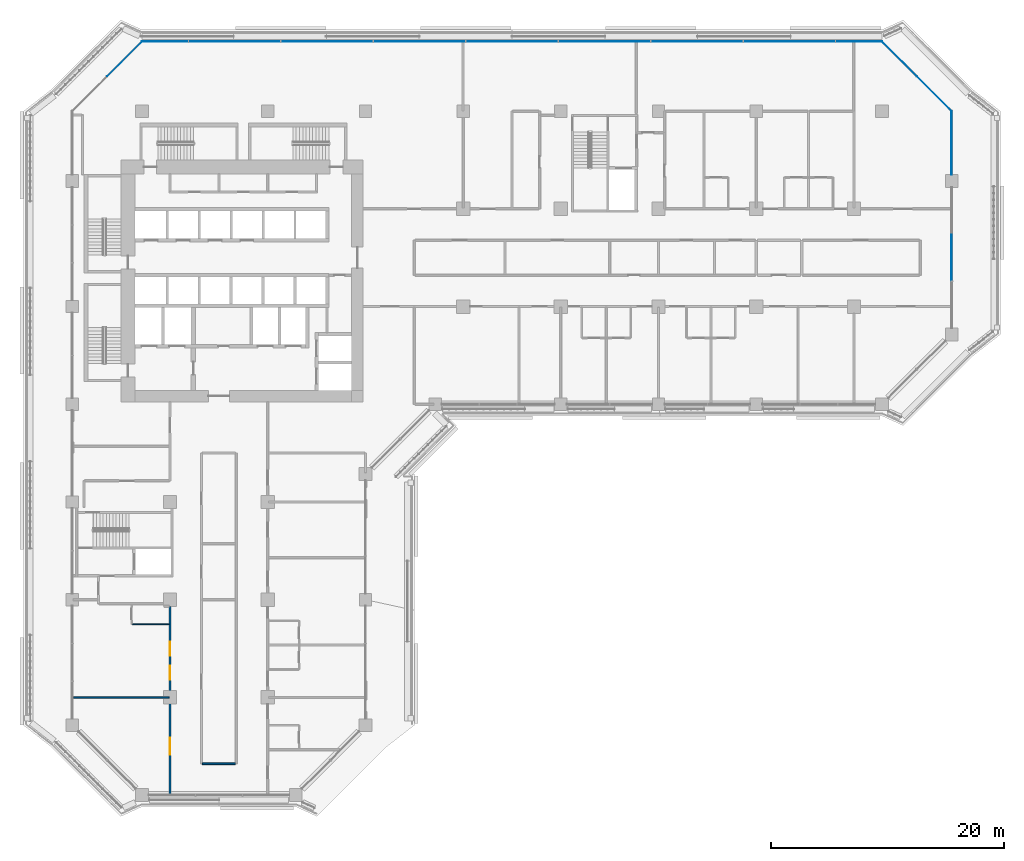
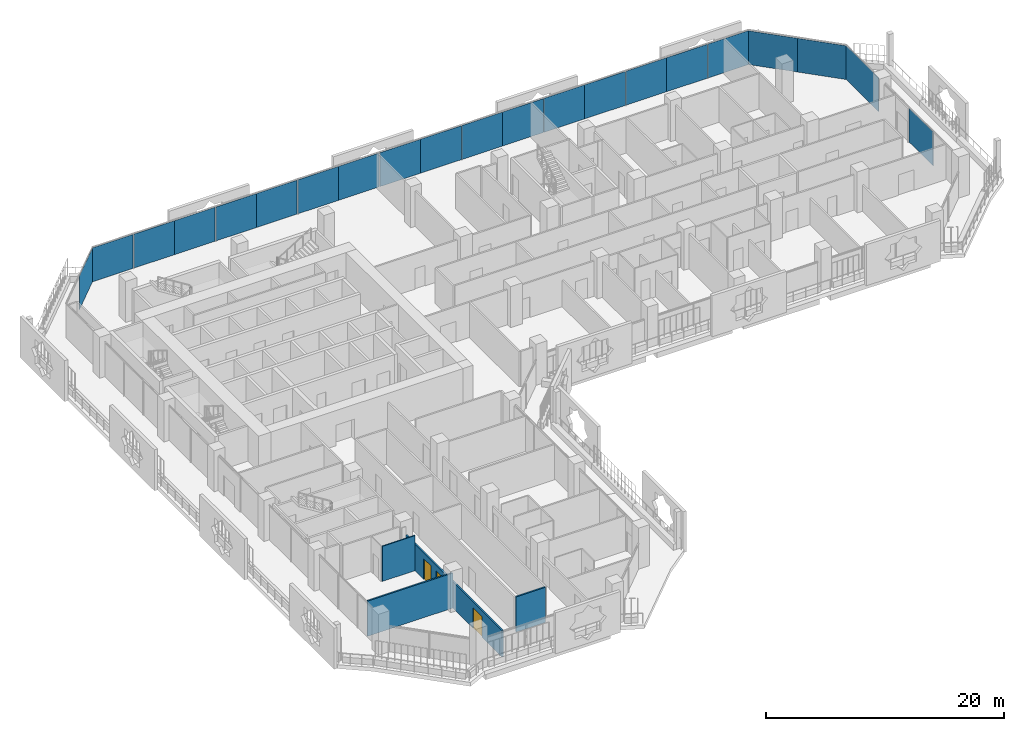
# One storey, part 11 of 25: 21 plates, 4 walls, 3 doors, 3 openings, 4 elements without a shape of their own.
"""IFC4 building model written with IfcOpenShell, lengths in metres."""

from ifc_helpers import new_model, si_unit, direction, frame, frame_2d, origin, origin_2d, place, context, subcontext, project, spatial, rectangle, extrude, material, layer, layer_set, type_object, element, fill, aggregate, save


model = new_model("IFC4")

# Units and contexts
model_context = context("Model", 3, precision=1e-05, world=origin(), true_north=direction((0.0, 1.0)))
body_context = subcontext(model_context, "Body", "Model", "MODEL_VIEW")
ifc_project = project(units=[si_unit("LENGTHUNIT", "METRE"), si_unit("AREAUNIT", "SQUARE_METRE"), si_unit("VOLUMEUNIT", "CUBIC_METRE"), si_unit("PLANEANGLEUNIT", "RADIAN"), si_unit("MASSUNIT", "GRAM", prefix="KILO")], contexts=[model_context])

# Site, building, storey
site_placement = place(None, origin())
site = spatial("IfcSite", under=ifc_project, at=site_placement, CompositionType="ELEMENT")
building_placement = place(site_placement, origin())
building = spatial("IfcBuilding", under=site, at=building_placement, Name="Kawkab Arch Medical Tower", CompositionType="ELEMENT")
storey_placement = place(building_placement, frame((0.0, 0.0, 124.0)))
storey = spatial("IfcBuildingStorey", under=building, at=storey_placement, Name="L28", CompositionType="ELEMENT", Elevation=124.0)

# Curtain wall, plates
ifc_material_1 = material(Name="Bronze anodised aluminium curtain wall frame", Category="aluminium")
ifc_layer_1 = layer(ifc_material_1, 0.159912109375)
ifc_layer_set_1 = layer_set([ifc_layer_1], Name="Bronze anodised aluminium curtain wall frame")
curtain_wall_type_1 = type_object("IfcCurtainWallType", Name="CW1 ward curtain wall", PredefinedType="NOTDEFINED", material=ifc_layer_set_1)
placement = place(storey_placement, origin())
curtain_wall_1 = element("IfcCurtainWall", 1, at=placement, inside=storey, type_object=curtain_wall_type_1, Name="CW1 Ward curtain wall R09", PredefinedType="NOTDEFINED")
ifc_material_2 = material(Name="Tinted insulating glass, bronze low-e coating", Category="glass")
ifc_layer_2 = layer(ifc_material_2, 0.031982421875)
ifc_layer_set_2 = layer_set([ifc_layer_2], Name="Tinted insulating glass, bronze low-e coating")
plate_type_1 = type_object("IfcPlateType", Name="CW1 glazing unit 32", PredefinedType="CURTAIN_PANEL", material=ifc_layer_set_2)
plate_1_placement = place(storey_placement, frame((75.60009765625, -12.5849609375, 0.0), z_axis=(0.0, 0.0, 1.0), x_axis=(0.0, 1.0, 0.0)))
plate_1 = element("IfcPlate", 2, at=plate_1_placement, type_object=plate_type_1, Name="CW1 glazing unit 1.2", PredefinedType="CURTAIN_PANEL", context=body_context, shape_type="SweptSolid", body=[
    extrude(rectangle(XDim=4.00341796875, YDim=0.031982421875, at=origin_2d()), origin(), (0.0, 0.0, 1.0), 3.47998046875),
])
plate_2_placement = place(storey_placement, frame((75.60009765625, -2.72509765625, 0.0), z_axis=(0.0, 0.0, 1.0), x_axis=(0.0, 1.0, 0.0)))
plate_2 = element("IfcPlate", 3, at=plate_2_placement, type_object=plate_type_1, Name="CW1 glazing unit 2.1", PredefinedType="CURTAIN_PANEL", context=body_context, shape_type="SweptSolid", body=[
    extrude(rectangle(XDim=5.449951171875, YDim=0.031982421875, at=origin_2d()), origin(), (0.0, 0.0, 1.0), 3.47998046875),
])
aggregate(curtain_wall_1, [plate_1, plate_2])

curtain_wall_2 = element("IfcCurtainWall", 4, at=placement, inside=storey, type_object=curtain_wall_type_1, Name="CW1 Ward curtain wall R11", PredefinedType="NOTDEFINED")
plate_3_placement = place(storey_placement, frame((67.62744140625, 6.0, 0.0), z_axis=(0.0, 0.0, 1.0), x_axis=(-1.0, 0.0, 0.0)))
plate_3 = element("IfcPlate", 5, at=plate_3_placement, type_object=plate_type_1, Name="CW1 glazing unit 1.1", PredefinedType="CURTAIN_PANEL", context=body_context, shape_type="SweptSolid", body=[
    extrude(rectangle(XDim=3.945068359375, YDim=0.031982421875, at=origin_2d()), origin(), (0.0, 0.0, 1.0), 3.47998046875),
])
plate_4_placement = place(storey_placement, frame((63.62255859375, 6.0, 0.0), z_axis=(0.0, 0.0, 1.0), x_axis=(-1.0, 0.0, 0.0)))
plate_4 = element("IfcPlate", 6, at=plate_4_placement, type_object=plate_type_1, Name="CW1 glazing unit 1.2", PredefinedType="CURTAIN_PANEL", context=body_context, shape_type="SweptSolid", body=[
    extrude(rectangle(XDim=3.945068359375, YDim=0.031982421875, at=origin_2d()), origin(), (0.0, 0.0, 1.0), 3.47998046875),
])
plate_5_placement = place(storey_placement, frame((59.677490234375, 6.0, 0.0), z_axis=(0.0, 0.0, 1.0), x_axis=(-1.0, 0.0, 0.0)))
plate_5 = element("IfcPlate", 7, at=plate_5_placement, type_object=plate_type_1, Name="CW1 glazing unit 2.1", PredefinedType="CURTAIN_PANEL", context=body_context, shape_type="SweptSolid", body=[
    extrude(rectangle(XDim=3.945068359375, YDim=0.031982421875, at=origin_2d()), origin(), (0.0, 0.0, 1.0), 3.47998046875),
])
plate_6_placement = place(storey_placement, frame((55.672607421875, 6.0, 0.0), z_axis=(0.0, 0.0, 1.0), x_axis=(-1.0, 0.0, 0.0)))
plate_6 = element("IfcPlate", 8, at=plate_6_placement, type_object=plate_type_1, Name="CW1 glazing unit 2.2", PredefinedType="CURTAIN_PANEL", context=body_context, shape_type="SweptSolid", body=[
    extrude(rectangle(XDim=3.945068359375, YDim=0.031982421875, at=origin_2d()), origin(), (0.0, 0.0, 1.0), 3.47998046875),
])
plate_7_placement = place(storey_placement, frame((51.7275390625, 6.0, 0.0), z_axis=(0.0, 0.0, 1.0), x_axis=(-1.0, 0.0, 0.0)))
plate_7 = element("IfcPlate", 9, at=plate_7_placement, type_object=plate_type_1, Name="CW1 glazing unit 3.1", PredefinedType="CURTAIN_PANEL", context=body_context, shape_type="SweptSolid", body=[
    extrude(rectangle(XDim=3.945068359375, YDim=0.031982421875, at=origin_2d()), origin(), (0.0, 0.0, 1.0), 3.47998046875),
])
plate_8_placement = place(storey_placement, frame((47.722412109375, 6.0, 0.0), z_axis=(0.0, 0.0, 1.0), x_axis=(-1.0, 0.0, 0.0)))
plate_8 = element("IfcPlate", 10, at=plate_8_placement, type_object=plate_type_1, Name="CW1 glazing unit 3.2", PredefinedType="CURTAIN_PANEL", context=body_context, shape_type="SweptSolid", body=[
    extrude(rectangle(XDim=3.945068359375, YDim=0.031982421875, at=origin_2d()), origin(), (0.0, 0.0, 1.0), 3.47998046875),
])
plate_9_placement = place(storey_placement, frame((43.777587890625, 6.0, 0.0), z_axis=(0.0, 0.0, 1.0), x_axis=(-1.0, 0.0, 0.0)))
plate_9 = element("IfcPlate", 11, at=plate_9_placement, type_object=plate_type_1, Name="CW1 glazing unit 4.1", PredefinedType="CURTAIN_PANEL", context=body_context, shape_type="SweptSolid", body=[
    extrude(rectangle(XDim=3.945068359375, YDim=0.031982421875, at=origin_2d()), origin(), (0.0, 0.0, 1.0), 3.47998046875),
])
plate_10_placement = place(storey_placement, frame((39.7724609375, 6.0, 0.0), z_axis=(0.0, 0.0, 1.0), x_axis=(-1.0, 0.0, 0.0)))
plate_10 = element("IfcPlate", 12, at=plate_10_placement, type_object=plate_type_1, Name="CW1 glazing unit 4.2", PredefinedType="CURTAIN_PANEL", context=body_context, shape_type="SweptSolid", body=[
    extrude(rectangle(XDim=3.945068359375, YDim=0.031982421875, at=origin_2d()), origin(), (0.0, 0.0, 1.0), 3.47998046875),
])
plate_11_placement = place(storey_placement, frame((35.827392578125, 6.0, 0.0), z_axis=(0.0, 0.0, 1.0), x_axis=(-1.0, 0.0, 0.0)))
plate_11 = element("IfcPlate", 13, at=plate_11_placement, type_object=plate_type_1, Name="CW1 glazing unit 5.1", PredefinedType="CURTAIN_PANEL", context=body_context, shape_type="SweptSolid", body=[
    extrude(rectangle(XDim=3.945068359375, YDim=0.031982421875, at=origin_2d()), origin(), (0.0, 0.0, 1.0), 3.47998046875),
])
plate_12_placement = place(storey_placement, frame((31.822509765625, 6.0, 0.0), z_axis=(0.0, 0.0, 1.0), x_axis=(-1.0, 0.0, 0.0)))
plate_12 = element("IfcPlate", 14, at=plate_12_placement, type_object=plate_type_1, Name="CW1 glazing unit 5.2", PredefinedType="CURTAIN_PANEL", context=body_context, shape_type="SweptSolid", body=[
    extrude(rectangle(XDim=3.945068359375, YDim=0.031982421875, at=origin_2d()), origin(), (0.0, 0.0, 1.0), 3.47998046875),
])
plate_13_placement = place(storey_placement, frame((27.87744140625, 6.0, 0.0), z_axis=(0.0, 0.0, 1.0), x_axis=(-1.0, 0.0, 0.0)))
plate_13 = element("IfcPlate", 15, at=plate_13_placement, type_object=plate_type_1, Name="CW1 glazing unit 6.1", PredefinedType="CURTAIN_PANEL", context=body_context, shape_type="SweptSolid", body=[
    extrude(rectangle(XDim=3.945068359375, YDim=0.031982421875, at=origin_2d()), origin(), (0.0, 0.0, 1.0), 3.47998046875),
])
plate_14_placement = place(storey_placement, frame((23.87255859375, 6.0, 0.0), z_axis=(0.0, 0.0, 1.0), x_axis=(-1.0, 0.0, 0.0)))
plate_14 = element("IfcPlate", 16, at=plate_14_placement, type_object=plate_type_1, Name="CW1 glazing unit 6.2", PredefinedType="CURTAIN_PANEL", context=body_context, shape_type="SweptSolid", body=[
    extrude(rectangle(XDim=3.945068359375, YDim=0.031982421875, at=origin_2d()), origin(), (0.0, 0.0, 1.0), 3.47998046875),
])
plate_15_placement = place(storey_placement, frame((19.927490234375, 6.0, 0.0), z_axis=(0.0, 0.0, 1.0), x_axis=(-1.0, 0.0, 0.0)))
plate_15 = element("IfcPlate", 17, at=plate_15_placement, type_object=plate_type_1, Name="CW1 glazing unit 7.1", PredefinedType="CURTAIN_PANEL", context=body_context, shape_type="SweptSolid", body=[
    extrude(rectangle(XDim=3.945068359375, YDim=0.031982421875, at=origin_2d()), origin(), (0.0, 0.0, 1.0), 3.47998046875),
])
plate_16_placement = place(storey_placement, frame((15.922607421875, 6.0, 0.0), z_axis=(0.0, 0.0, 1.0), x_axis=(-1.0, 0.0, 0.0)))
plate_16 = element("IfcPlate", 18, at=plate_16_placement, type_object=plate_type_1, Name="CW1 glazing unit 7.2", PredefinedType="CURTAIN_PANEL", context=body_context, shape_type="SweptSolid", body=[
    extrude(rectangle(XDim=3.945068359375, YDim=0.031982421875, at=origin_2d()), origin(), (0.0, 0.0, 1.0), 3.47998046875),
])
plate_17_placement = place(storey_placement, frame((11.9775390625, 6.0, 0.0), z_axis=(0.0, 0.0, 1.0), x_axis=(-1.0, 0.0, 0.0)))
plate_17 = element("IfcPlate", 19, at=plate_17_placement, type_object=plate_type_1, Name="CW1 glazing unit 8.1", PredefinedType="CURTAIN_PANEL", context=body_context, shape_type="SweptSolid", body=[
    extrude(rectangle(XDim=3.945068359375, YDim=0.031982421875, at=origin_2d()), origin(), (0.0, 0.0, 1.0), 3.47998046875),
])
plate_18_placement = place(storey_placement, frame((7.972412109375, 6.0, 0.0), z_axis=(0.0, 0.0, 1.0), x_axis=(-1.0, 0.0, 0.0)))
plate_18 = element("IfcPlate", 20, at=plate_18_placement, type_object=plate_type_1, Name="CW1 glazing unit 8.2", PredefinedType="CURTAIN_PANEL", context=body_context, shape_type="SweptSolid", body=[
    extrude(rectangle(XDim=3.945068359375, YDim=0.031982421875, at=origin_2d()), origin(), (0.0, 0.0, 1.0), 3.47998046875),
])
aggregate(curtain_wall_2, [plate_3, plate_4, plate_5, plate_6, plate_7, plate_8, plate_9, plate_10, plate_11, plate_12, plate_13, plate_14, plate_15, plate_16, plate_17, plate_18])

ifc_material_3 = material(Name="Bronze anodised aluminium curtain wall frame", Category="aluminium")
ifc_layer_3 = layer(ifc_material_3, 0.159912109375)
ifc_layer_set_3 = layer_set([ifc_layer_3], Name="Bronze anodised aluminium curtain wall frame")
curtain_wall_type_2 = type_object("IfcCurtainWallType", Name="CW2 chamfer curtain wall", PredefinedType="NOTDEFINED", material=ifc_layer_set_3)
curtain_wall_3 = element("IfcCurtainWall", 21, at=placement, inside=storey, type_object=curtain_wall_type_2, Name="CW2 Chamfer curtain wall R10", PredefinedType="NOTDEFINED")
ifc_material_4 = material(Name="Tinted insulating glass, bronze low-e coating", Category="glass")
ifc_layer_4 = layer(ifc_material_4, 0.031982421875)
ifc_layer_set_4 = layer_set([ifc_layer_4], Name="Tinted insulating glass, bronze low-e coating")
plate_type_2 = type_object("IfcPlateType", Name="CW2 glazing unit 32", PredefinedType="CURTAIN_PANEL", material=ifc_layer_set_4)
plate_19_placement = place(storey_placement, frame((74.10009765625, 1.5, 0.0), z_axis=(0.0, 0.0, 1.0), x_axis=(-0.707106781187, 0.707106781187, 0.0)))
plate_19 = element("IfcPlate", 22, at=plate_19_placement, type_object=plate_type_2, Name="CW2 glazing unit 1.1", PredefinedType="CURTAIN_PANEL", context=body_context, shape_type="SweptSolid", body=[
    extrude(rectangle(XDim=4.24267578125, YDim=0.031982421875, at=origin_2d()), origin(), (0.0, 0.0, 1.0), 3.4599609375),
])
plate_20_placement = place(storey_placement, frame((71.10009765625, 4.5, 0.0), z_axis=(0.0, 0.0, 1.0), x_axis=(-0.707106781187, 0.707106781187, 0.0)))
plate_20 = element("IfcPlate", 23, at=plate_20_placement, type_object=plate_type_2, Name="CW2 glazing unit 2.1", PredefinedType="CURTAIN_PANEL", context=body_context, shape_type="SweptSolid", body=[
    extrude(rectangle(XDim=4.24267578125, YDim=0.031982421875, at=origin_2d()), origin(), (0.0, 0.0, 1.0), 3.4599609375),
])
aggregate(curtain_wall_3, [plate_19, plate_20])

# Curtain wall, plate
curtain_wall_4 = element("IfcCurtainWall", 24, at=placement, inside=storey, type_object=curtain_wall_type_2, Name="CW2 Chamfer curtain wall R12", PredefinedType="NOTDEFINED")
plate_21_placement = place(storey_placement, frame((4.5, 4.5, 0.0), z_axis=(0.0, 0.0, 1.0), x_axis=(-0.707106781187, -0.707106781187, 0.0)))
plate_21 = element("IfcPlate", 25, at=plate_21_placement, type_object=plate_type_2, Name="CW2 glazing unit 1.1", PredefinedType="CURTAIN_PANEL", context=body_context, shape_type="SweptSolid", body=[
    extrude(rectangle(XDim=4.24267578125, YDim=0.031982421875, at=origin_2d()), origin(), (0.0, 0.0, 1.0), 3.4599609375),
])
aggregate(curtain_wall_4, [plate_21])

# Walls
ifc_material_5 = material(Name="Gypsum board partition on steel studs", Category="steel")
ifc_layer_5 = layer(ifc_material_5, 0.10009765625)
ifc_layer_set_5 = layer_set([ifc_layer_5], Name="Gypsum board partition on steel studs")
wall_type_1 = type_object("IfcWallType", Name="Partition 100", PredefinedType="PARTITIONING", material=ifc_layer_set_5)
wall_1_placement = place(storey_placement, frame((5.14990234375, -44.10009765625, 0.0), z_axis=(0.0, 0.0, 1.0), x_axis=(1.0, 0.0, 0.0)))
element("IfcWall", 26, at=wall_1_placement, inside=storey, type_object=wall_type_1, Name="Partition 100 w003", PredefinedType="PARTITIONING", context=body_context, shape_type="SweptSolid", body=[
    extrude(rectangle(XDim=3.175048828125, YDim=0.10009765625, at=frame_2d((1.58740234375, 0.0))), origin(), (0.0, 0.0, 1.0), 3.60009765625),
])
ifc_material_6 = material(Name="Gypsum board partition on steel studs, mineral wool", Category="steel")
ifc_layer_6 = layer(ifc_material_6, 0.14990234375)
ifc_layer_set_6 = layer_set([ifc_layer_6], Name="Gypsum board partition on steel studs, mineral wool")
wall_type_2 = type_object("IfcWallType", Name="Partition 150", PredefinedType="PARTITIONING", material=ifc_layer_set_6)
wall_2_placement = place(storey_placement, frame((11.175048828125, -56.10009765625, 0.0), z_axis=(0.0, 0.0, 1.0), x_axis=(1.0, 0.0, 0.0)))
element("IfcWall", 27, at=wall_2_placement, inside=storey, type_object=wall_type_2, Name="Partition 150 w019", PredefinedType="PARTITIONING", context=body_context, shape_type="SweptSolid", body=[
    extrude(rectangle(XDim=2.849853515625, YDim=0.14990234375, at=frame_2d((1.4248046875, 0.0))), origin(), (0.0, 0.0, 1.0), 3.60009765625),
])
wall_3_placement = place(storey_placement, frame((0.080078125, -50.39990234375, 0.0), z_axis=(0.0, 0.0, 1.0), x_axis=(1.0, 0.0, 0.0)))
element("IfcWall", 28, at=wall_3_placement, inside=storey, type_object=wall_type_2, Name="Partition 150 w021", PredefinedType="PARTITIONING", context=body_context, shape_type="SweptSolid", body=[
    extrude(rectangle(XDim=8.244873046875, YDim=0.14990234375, at=frame_2d((4.12255859375, 0.0))), origin(), (0.0, 0.0, 1.0), 3.60009765625),
])

# Wall, openings, doors
wall_4_placement = place(storey_placement, frame((8.39990234375, -58.719970703125, 0.0), z_axis=(0.0, 0.0, 1.0), x_axis=(0.0, 1.0, 0.0)))
wall_4 = element("IfcWall", 29, at=wall_4_placement, inside=storey, type_object=wall_type_2, Name="Partition 150 w055", PredefinedType="PARTITIONING", context=body_context, shape_type="SweptSolid", body=[
    extrude(rectangle(XDim=16.14501953125, YDim=0.14990234375, at=frame_2d((8.072509765625, 0.0))), origin(), (0.0, 0.0, 1.0), 2.699951171875),
])
opening_1_placement = place(wall_4_placement, frame((9.820068359375, 0.0, 0.0)))
opening_1 = element("IfcOpeningElement", 30, at=opening_1_placement, cuts=wall_4, Name="Opening W28-045", PredefinedType="OPENING", context=body_context, shape_type="SweptSolid", body=[
    extrude(rectangle(XDim=1.199951171875, YDim=2.10009765625, at=frame_2d((0.60009765625, 1.050048828125))), frame((0.0, 0.0849609375, 0.0), z_axis=(0.0, -1.0, 0.0), x_axis=(1.0, 0.0, 0.0)), (0.0, 0.0, 1.0), 0.169921875),
])
opening_2_placement = place(wall_4_placement, frame((11.919921875, 0.0, 0.0)))
opening_2 = element("IfcOpeningElement", 31, at=opening_2_placement, cuts=wall_4, Name="Opening W28-046", PredefinedType="OPENING", context=body_context, shape_type="SweptSolid", body=[
    extrude(rectangle(XDim=1.199951171875, YDim=2.10009765625, at=frame_2d((0.60009765625, 1.050048828125))), frame((0.0, 0.0849609375, 0.0), z_axis=(0.0, -1.0, 0.0), x_axis=(1.0, 0.0, 0.0)), (0.0, 0.0, 1.0), 0.169921875),
])
opening_3_placement = place(wall_4_placement, frame((3.3701171875, 0.0, 0.0)))
opening_3 = element("IfcOpeningElement", 32, at=opening_3_placement, cuts=wall_4, Name="Opening W28-004", PredefinedType="OPENING", context=body_context, shape_type="SweptSolid", body=[
    extrude(rectangle(XDim=1.5, YDim=2.10009765625, at=frame_2d((0.75, 1.050048828125))), frame((0.0, 0.0849609375, 0.0), z_axis=(0.0, -1.0, 0.0), x_axis=(1.0, 0.0, 0.0)), (0.0, 0.0, 1.0), 0.169921875),
])
ifc_material_7 = material(Name="Hollow metal door leaf")
door_type_1 = type_object("IfcDoorType", Name="Double door 1500x2100 FD30S", OperationType="NOTDEFINED", PredefinedType="DOOR", material=ifc_material_7)
door_1_placement = place(opening_3_placement, origin())
door_1 = element("IfcDoor", 33, at=door_1_placement, inside=storey, type_object=door_type_1, Name="Door W28-004", OperationType="DOUBLE_DOOR_SINGLE_SWING", OverallHeight=2.10009765625, OverallWidth=1.5, PredefinedType="DOOR", context=body_context, shape_type="SweptSolid", body=[
    extrude(rectangle(XDim=1.5, YDim=2.10009765625, at=frame_2d((0.75, 1.050048828125))), frame((0.0, 0.02490234375, 0.0), z_axis=(0.0, -1.0, 0.0), x_axis=(1.0, 0.0, 0.0)), (0.0, 0.0, 1.0), 0.050048828125),
])
fill(opening_3, door_1)
ifc_material_8 = material(Name="Hollow metal door leaf")
door_type_2 = type_object("IfcDoorType", Name="Single door 1200x2100 FD30S", OperationType="NOTDEFINED", PredefinedType="DOOR", material=ifc_material_8)
door_2_placement = place(opening_1_placement, origin())
door_2 = element("IfcDoor", 34, at=door_2_placement, inside=storey, type_object=door_type_2, Name="Door W28-045", OperationType="SINGLE_SWING_RIGHT", OverallHeight=2.10009765625, OverallWidth=1.199951171875, PredefinedType="DOOR", context=body_context, shape_type="SweptSolid", body=[
    extrude(rectangle(XDim=1.199951171875, YDim=2.10009765625, at=frame_2d((0.60009765625, 1.050048828125))), frame((0.0, 0.02490234375, 0.0), z_axis=(0.0, -1.0, 0.0), x_axis=(1.0, 0.0, 0.0)), (0.0, 0.0, 1.0), 0.050048828125),
])
fill(opening_1, door_2)
door_3_placement = place(opening_2_placement, origin())
door_3 = element("IfcDoor", 35, at=door_3_placement, inside=storey, type_object=door_type_2, Name="Door W28-046", OperationType="SINGLE_SWING_RIGHT", OverallHeight=2.10009765625, OverallWidth=1.199951171875, PredefinedType="DOOR", context=body_context, shape_type="SweptSolid", body=[
    extrude(rectangle(XDim=1.199951171875, YDim=2.10009765625, at=frame_2d((0.60009765625, 1.050048828125))), frame((0.0, 0.02490234375, 0.0), z_axis=(0.0, -1.0, 0.0), x_axis=(1.0, 0.0, 0.0)), (0.0, 0.0, 1.0), 0.050048828125),
])
fill(opening_2, door_3)

save(model, "model.ifc")
